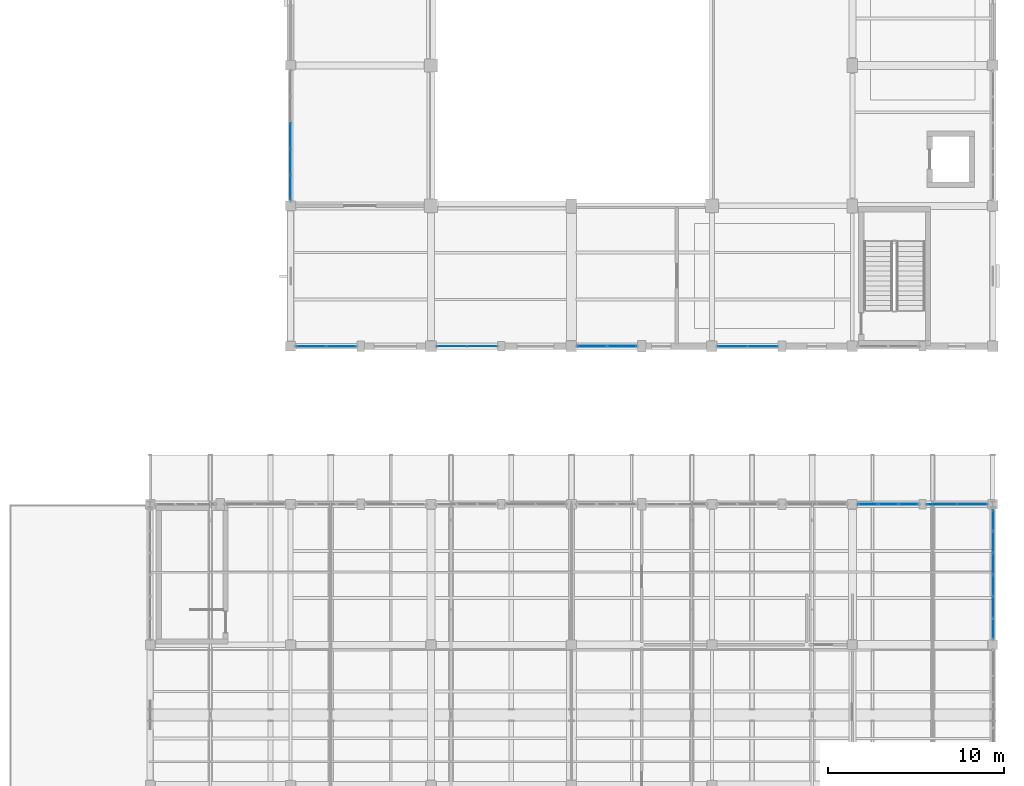
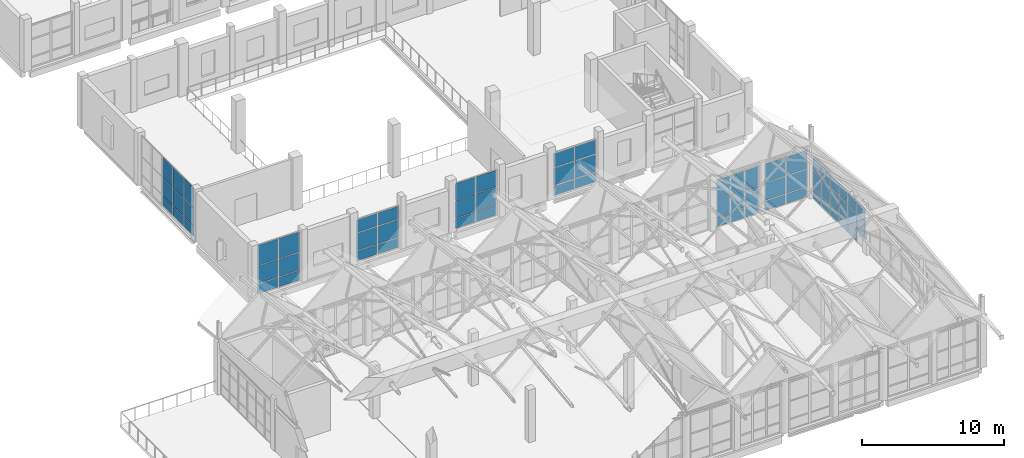
# One storey, part 128 of 183: 65 plates, 8 elements without a shape of their own.
"""IFC4 building model written with IfcOpenShell, lengths in metres."""

from ifc_helpers import new_model, si_unit, direction, frame, origin, origin_2d, place, context, subcontext, project, spatial, rectangle, extrude, material, layer, layer_set, type_object, element, aggregate, save


model = new_model("IFC4")

# Units and contexts
model_context = context("Model", 3, precision=1e-05, world=origin(), true_north=direction((0.0, 1.0)))
body_context = subcontext(model_context, "Body", "Model", "MODEL_VIEW")
ifc_project = project(units=[si_unit("LENGTHUNIT", "METRE"), si_unit("AREAUNIT", "SQUARE_METRE"), si_unit("VOLUMEUNIT", "CUBIC_METRE"), si_unit("PLANEANGLEUNIT", "RADIAN"), si_unit("MASSUNIT", "GRAM", prefix="KILO")], contexts=[model_context])

# Site, building, storey
site_placement = place(None, origin())
site = spatial("IfcSite", under=ifc_project, at=site_placement, CompositionType="ELEMENT")
building_placement = place(site_placement, origin())
building = spatial("IfcBuilding", under=site, at=building_placement, Name="Luwemba Playhouse", CompositionType="ELEMENT")
storey_placement = place(building_placement, frame((0.0, 0.0, 4.800048828125)))
storey = spatial("IfcBuildingStorey", under=building, at=storey_placement, Name="L01", CompositionType="ELEMENT", Elevation=4.800048828125)

# Curtain wall, plates
ifc_material = material(Name="Solar-control double glazing", Category="glass")
curtain_wall_type_1 = type_object("IfcCurtainWallType", Name="CW-CW77", PredefinedType="USERDEFINED", material=ifc_material)
curtain_wall_1_placement = place(storey_placement, origin())
curtain_wall_1 = element("IfcCurtainWall", 1, at=curtain_wall_1_placement, inside=storey, type_object=curtain_wall_type_1, Name="L01 V3 unitised curtain wall 110", ObjectType="UNITISED GLAZING", PredefinedType="USERDEFINED")
ifc_layer_1 = layer(ifc_material, 0.02392578125)
ifc_layer_set_1 = layer_set([ifc_layer_1], Name="Solar-control double glazing")
plate_type_1 = type_object("IfcPlateType", Name="CWP-P1", PredefinedType="CURTAIN_PANEL", material=ifc_layer_set_1)
plate_1_placement = place(storey_placement, frame((142.909912109375, 36.0, 0.059814453125), z_axis=(0.0, 0.0, 1.0), x_axis=(-1.0, 0.0, 0.0)))
plate_1 = element("IfcPlate", 2, at=plate_1_placement, type_object=plate_type_1, Name="CW77 panel 1.1", PredefinedType="CURTAIN_PANEL", context=body_context, shape_type="SweptSolid", body=[
    extrude(rectangle(XDim=1.659912109375, YDim=0.02392578125, at=origin_2d()), origin(), (0.0, 0.0, 1.0), 0.81005859375),
])
plate_2_placement = place(storey_placement, frame((142.909912109375, 36.0, 0.93017578125), z_axis=(0.0, 0.0, 1.0), x_axis=(-1.0, 0.0, 0.0)))
plate_2 = element("IfcPlate", 3, at=plate_2_placement, type_object=plate_type_1, Name="CW77 panel 1.2", PredefinedType="CURTAIN_PANEL", context=body_context, shape_type="SweptSolid", body=[
    extrude(rectangle(XDim=1.659912109375, YDim=0.02392578125, at=origin_2d()), origin(), (0.0, 0.0, 1.0), 1.489990234375),
])
plate_3_placement = place(storey_placement, frame((142.909912109375, 36.0, 2.47998046875), z_axis=(0.0, 0.0, 1.0), x_axis=(-1.0, 0.0, 0.0)))
plate_3 = element("IfcPlate", 4, at=plate_3_placement, type_object=plate_type_1, Name="CW77 panel 1.3", PredefinedType="CURTAIN_PANEL", context=body_context, shape_type="SweptSolid", body=[
    extrude(rectangle(XDim=1.659912109375, YDim=0.02392578125, at=origin_2d()), origin(), (0.0, 0.0, 1.0), 1.094970703125),
])
plate_4_placement = place(storey_placement, frame((141.18994140625, 36.0, 0.059814453125), z_axis=(0.0, 0.0, 1.0), x_axis=(-1.0, 0.0, 0.0)))
plate_4 = element("IfcPlate", 5, at=plate_4_placement, type_object=plate_type_1, Name="CW77 panel 2.1", PredefinedType="CURTAIN_PANEL", context=body_context, shape_type="SweptSolid", body=[
    extrude(rectangle(XDim=1.659912109375, YDim=0.02392578125, at=origin_2d()), origin(), (0.0, 0.0, 1.0), 0.81005859375),
])
plate_5_placement = place(storey_placement, frame((141.18994140625, 36.0, 0.93017578125), z_axis=(0.0, 0.0, 1.0), x_axis=(-1.0, 0.0, 0.0)))
plate_5 = element("IfcPlate", 6, at=plate_5_placement, type_object=plate_type_1, Name="CW77 panel 2.2", PredefinedType="CURTAIN_PANEL", context=body_context, shape_type="SweptSolid", body=[
    extrude(rectangle(XDim=1.659912109375, YDim=0.02392578125, at=origin_2d()), origin(), (0.0, 0.0, 1.0), 1.489990234375),
])
plate_6_placement = place(storey_placement, frame((141.18994140625, 36.0, 2.47998046875), z_axis=(0.0, 0.0, 1.0), x_axis=(-1.0, 0.0, 0.0)))
plate_6 = element("IfcPlate", 7, at=plate_6_placement, type_object=plate_type_1, Name="CW77 panel 2.3", PredefinedType="CURTAIN_PANEL", context=body_context, shape_type="SweptSolid", body=[
    extrude(rectangle(XDim=1.659912109375, YDim=0.02392578125, at=origin_2d()), origin(), (0.0, 0.0, 1.0), 1.094970703125),
])
aggregate(curtain_wall_1, [plate_1, plate_2, plate_3, plate_4, plate_5, plate_6])

curtain_wall_type_2 = type_object("IfcCurtainWallType", Name="CW-CW128", PredefinedType="USERDEFINED", material=ifc_material)
curtain_wall_2_placement = place(storey_placement, origin())
curtain_wall_2 = element("IfcCurtainWall", 8, at=curtain_wall_2_placement, inside=storey, type_object=curtain_wall_type_2, Name="L01 V5E unitised curtain wall 166", ObjectType="UNITISED GLAZING", PredefinedType="USERDEFINED")
plate_7_placement = place(storey_placement, frame((169.09619140625, 27.0, 0.059814453125), z_axis=(0.0, 0.0, 1.0), x_axis=(1.0, 0.0, 0.0)))
plate_7 = element("IfcPlate", 9, at=plate_7_placement, type_object=plate_type_1, Name="CW128 panel 1.1", PredefinedType="CURTAIN_PANEL", context=body_context, shape_type="SweptSolid", body=[
    extrude(rectangle(XDim=1.672607421875, YDim=0.02392578125, at=origin_2d()), origin(), (0.0, 0.0, 1.0), 0.81005859375),
])
plate_8_placement = place(storey_placement, frame((169.09619140625, 27.0, 0.93017578125), z_axis=(0.0, 0.0, 1.0), x_axis=(1.0, 0.0, 0.0)))
plate_8 = element("IfcPlate", 10, at=plate_8_placement, type_object=plate_type_1, Name="CW128 panel 1.2", PredefinedType="CURTAIN_PANEL", context=body_context, shape_type="SweptSolid", body=[
    extrude(rectangle(XDim=1.672607421875, YDim=0.02392578125, at=origin_2d()), origin(), (0.0, 0.0, 1.0), 1.489990234375),
])
plate_9_placement = place(storey_placement, frame((169.09619140625, 27.0, 2.47998046875), z_axis=(0.0, 0.0, 1.0), x_axis=(1.0, 0.0, 0.0)))
plate_9 = element("IfcPlate", 11, at=plate_9_placement, type_object=plate_type_1, Name="CW128 panel 1.3", PredefinedType="CURTAIN_PANEL", context=body_context, shape_type="SweptSolid", body=[
    extrude(rectangle(XDim=1.672607421875, YDim=0.02392578125, at=origin_2d()), origin(), (0.0, 0.0, 1.0), 1.5849609375),
])
plate_10_placement = place(storey_placement, frame((170.828857421875, 27.0, 0.059814453125), z_axis=(0.0, 0.0, 1.0), x_axis=(1.0, 0.0, 0.0)))
plate_10 = element("IfcPlate", 12, at=plate_10_placement, type_object=plate_type_1, Name="CW128 panel 2.1", PredefinedType="CURTAIN_PANEL", context=body_context, shape_type="SweptSolid", body=[
    extrude(rectangle(XDim=1.672607421875, YDim=0.02392578125, at=origin_2d()), origin(), (0.0, 0.0, 1.0), 0.81005859375),
])
plate_11_placement = place(storey_placement, frame((170.828857421875, 27.0, 0.93017578125), z_axis=(0.0, 0.0, 1.0), x_axis=(1.0, 0.0, 0.0)))
plate_11 = element("IfcPlate", 13, at=plate_11_placement, type_object=plate_type_1, Name="CW128 panel 2.2", PredefinedType="CURTAIN_PANEL", context=body_context, shape_type="SweptSolid", body=[
    extrude(rectangle(XDim=1.672607421875, YDim=0.02392578125, at=origin_2d()), origin(), (0.0, 0.0, 1.0), 1.489990234375),
])
plate_12_placement = place(storey_placement, frame((170.828857421875, 27.0, 2.47998046875), z_axis=(0.0, 0.0, 1.0), x_axis=(1.0, 0.0, 0.0)))
plate_12 = element("IfcPlate", 14, at=plate_12_placement, type_object=plate_type_1, Name="CW128 panel 2.3", PredefinedType="CURTAIN_PANEL", context=body_context, shape_type="SweptSolid", body=[
    extrude(rectangle(XDim=1.672607421875, YDim=0.02392578125, at=origin_2d()), origin(), (0.0, 0.0, 1.0), 1.5849609375),
])
aggregate(curtain_wall_2, [plate_7, plate_8, plate_9, plate_10, plate_11, plate_12])

curtain_wall_type_3 = type_object("IfcCurtainWallType", Name="CW-CW75", PredefinedType="USERDEFINED", material=ifc_material)
curtain_wall_3_placement = place(storey_placement, origin())
curtain_wall_3 = element("IfcCurtainWall", 15, at=curtain_wall_3_placement, inside=storey, type_object=curtain_wall_type_3, Name="L01 V3 unitised curtain wall 111", ObjectType="UNITISED GLAZING", PredefinedType="USERDEFINED")
ifc_layer_2 = layer(ifc_material, 0.028076171875)
ifc_layer_set_2 = layer_set([ifc_layer_2], Name="Solar-control double glazing")
plate_type_2 = type_object("IfcPlateType", Name="CWP-P2", PredefinedType="CURTAIN_PANEL", material=ifc_layer_set_2)
plate_13_placement = place(storey_placement, frame((134.8837890625, 36.0, 0.054931640625), z_axis=(0.0, 0.0, 1.0), x_axis=(-1.0, 0.0, 0.0)))
plate_13 = element("IfcPlate", 16, at=plate_13_placement, type_object=plate_type_2, Name="CW75 panel 1.1", PredefinedType="CURTAIN_PANEL", context=body_context, shape_type="SweptSolid", body=[
    extrude(rectangle(XDim=1.652587890625, YDim=0.028076171875, at=origin_2d()), origin(), (0.0, 0.0, 1.0), 0.8173828125),
])
plate_14_placement = place(storey_placement, frame((134.8837890625, 36.0, 0.927490234375), z_axis=(0.0, 0.0, 1.0), x_axis=(-1.0, 0.0, 0.0)))
plate_14 = element("IfcPlate", 17, at=plate_14_placement, type_object=plate_type_2, Name="CW75 panel 1.2", PredefinedType="CURTAIN_PANEL", context=body_context, shape_type="SweptSolid", body=[
    extrude(rectangle(XDim=1.652587890625, YDim=0.028076171875, at=origin_2d()), origin(), (0.0, 0.0, 1.0), 1.4951171875),
])
plate_15_placement = place(storey_placement, frame((134.8837890625, 36.0, 2.4775390625), z_axis=(0.0, 0.0, 1.0), x_axis=(-1.0, 0.0, 0.0)))
plate_15 = element("IfcPlate", 18, at=plate_15_placement, type_object=plate_type_2, Name="CW75 panel 1.3", PredefinedType="CURTAIN_PANEL", context=body_context, shape_type="SweptSolid", body=[
    extrude(rectangle(XDim=1.652587890625, YDim=0.028076171875, at=origin_2d()), origin(), (0.0, 0.0, 1.0), 1.717529296875),
])
plate_16_placement = place(storey_placement, frame((133.166259765625, 36.0, 0.054931640625), z_axis=(0.0, 0.0, 1.0), x_axis=(-1.0, 0.0, 0.0)))
plate_16 = element("IfcPlate", 19, at=plate_16_placement, type_object=plate_type_2, Name="CW75 panel 2.1", PredefinedType="CURTAIN_PANEL", context=body_context, shape_type="SweptSolid", body=[
    extrude(rectangle(XDim=1.652587890625, YDim=0.028076171875, at=origin_2d()), origin(), (0.0, 0.0, 1.0), 0.8173828125),
])
plate_17_placement = place(storey_placement, frame((133.166259765625, 36.0, 0.927490234375), z_axis=(0.0, 0.0, 1.0), x_axis=(-1.0, 0.0, 0.0)))
plate_17 = element("IfcPlate", 20, at=plate_17_placement, type_object=plate_type_2, Name="CW75 panel 2.2", PredefinedType="CURTAIN_PANEL", context=body_context, shape_type="SweptSolid", body=[
    extrude(rectangle(XDim=1.652587890625, YDim=0.028076171875, at=origin_2d()), origin(), (0.0, 0.0, 1.0), 1.4951171875),
])
plate_18_placement = place(storey_placement, frame((133.166259765625, 36.0, 2.4775390625), z_axis=(0.0, 0.0, 1.0), x_axis=(-1.0, 0.0, 0.0)))
plate_18 = element("IfcPlate", 21, at=plate_18_placement, type_object=plate_type_2, Name="CW75 panel 2.3", PredefinedType="CURTAIN_PANEL", context=body_context, shape_type="SweptSolid", body=[
    extrude(rectangle(XDim=1.652587890625, YDim=0.028076171875, at=origin_2d()), origin(), (0.0, 0.0, 1.0), 1.717529296875),
])
aggregate(curtain_wall_3, [plate_13, plate_14, plate_15, plate_16, plate_17, plate_18])

curtain_wall_type_4 = type_object("IfcCurtainWallType", Name="CW-CW129", PredefinedType="USERDEFINED", material=ifc_material)
curtain_wall_4_placement = place(storey_placement, origin())
curtain_wall_4 = element("IfcCurtainWall", 22, at=curtain_wall_4_placement, inside=storey, type_object=curtain_wall_type_4, Name="L01 V5E unitised curtain wall 167", ObjectType="UNITISED GLAZING", PredefinedType="USERDEFINED")
plate_19_placement = place(storey_placement, frame((172.0, 26.087890625, 0.054931640625), z_axis=(0.0, 0.0, 1.0), x_axis=(0.0, -1.0, 0.0)))
plate_19 = element("IfcPlate", 23, at=plate_19_placement, type_object=plate_type_2, Name="CW129 panel 1.1", PredefinedType="CURTAIN_PANEL", context=body_context, shape_type="SweptSolid", body=[
    extrude(rectangle(XDim=1.144287109375, YDim=0.028076171875, at=origin_2d()), origin(), (0.0, 0.0, 1.0), 0.8173828125),
])
plate_20_placement = place(storey_placement, frame((172.0, 26.087890625, 0.927490234375), z_axis=(0.0, 0.0, 1.0), x_axis=(0.0, -1.0, 0.0)))
plate_20 = element("IfcPlate", 24, at=plate_20_placement, type_object=plate_type_2, Name="CW129 panel 1.2", PredefinedType="CURTAIN_PANEL", context=body_context, shape_type="SweptSolid", body=[
    extrude(rectangle(XDim=1.144287109375, YDim=0.028076171875, at=origin_2d()), origin(), (0.0, 0.0, 1.0), 1.4951171875),
])
plate_21_placement = place(storey_placement, frame((172.0, 26.087890625, 2.4775390625), z_axis=(0.0, 0.0, 1.0), x_axis=(0.0, -1.0, 0.0)))
plate_21 = element("IfcPlate", 25, at=plate_21_placement, type_object=plate_type_2, Name="CW129 panel 1.3", PredefinedType="CURTAIN_PANEL", context=body_context, shape_type="SweptSolid", body=[
    extrude(rectangle(XDim=1.144287109375, YDim=0.028076171875, at=origin_2d()), origin(), (0.0, 0.0, 1.0), 1.052490234375),
])
plate_22_placement = place(storey_placement, frame((172.0, 24.862548828125, 0.054931640625), z_axis=(0.0, 0.0, 1.0), x_axis=(0.0, -1.0, 0.0)))
plate_22 = element("IfcPlate", 26, at=plate_22_placement, type_object=plate_type_2, Name="CW129 panel 2.1", PredefinedType="CURTAIN_PANEL", context=body_context, shape_type="SweptSolid", body=[
    extrude(rectangle(XDim=1.1767578125, YDim=0.028076171875, at=origin_2d()), origin(), (0.0, 0.0, 1.0), 0.8173828125),
])
plate_23_placement = place(storey_placement, frame((172.0, 24.862548828125, 0.927490234375), z_axis=(0.0, 0.0, 1.0), x_axis=(0.0, -1.0, 0.0)))
plate_23 = element("IfcPlate", 27, at=plate_23_placement, type_object=plate_type_2, Name="CW129 panel 2.2", PredefinedType="CURTAIN_PANEL", context=body_context, shape_type="SweptSolid", body=[
    extrude(rectangle(XDim=1.1767578125, YDim=0.028076171875, at=origin_2d()), origin(), (0.0, 0.0, 1.0), 1.4951171875),
])
plate_24_placement = place(storey_placement, frame((172.0, 24.862548828125, 2.4775390625), z_axis=(0.0, 0.0, 1.0), x_axis=(0.0, -1.0, 0.0)))
plate_24 = element("IfcPlate", 28, at=plate_24_placement, type_object=plate_type_2, Name="CW129 panel 2.3", PredefinedType="CURTAIN_PANEL", context=body_context, shape_type="SweptSolid", body=[
    extrude(rectangle(XDim=1.1767578125, YDim=0.028076171875, at=origin_2d()), origin(), (0.0, 0.0, 1.0), 1.052490234375),
])
plate_25_placement = place(storey_placement, frame((172.0, 23.620849609375, 0.054931640625), z_axis=(0.0, 0.0, 1.0), x_axis=(0.0, -1.0, 0.0)))
plate_25 = element("IfcPlate", 29, at=plate_25_placement, type_object=plate_type_2, Name="CW129 panel 3.1", PredefinedType="CURTAIN_PANEL", context=body_context, shape_type="SweptSolid", body=[
    extrude(rectangle(XDim=1.1767578125, YDim=0.028076171875, at=origin_2d()), origin(), (0.0, 0.0, 1.0), 0.8173828125),
])
plate_26_placement = place(storey_placement, frame((172.0, 23.620849609375, 0.927490234375), z_axis=(0.0, 0.0, 1.0), x_axis=(0.0, -1.0, 0.0)))
plate_26 = element("IfcPlate", 30, at=plate_26_placement, type_object=plate_type_2, Name="CW129 panel 3.2", PredefinedType="CURTAIN_PANEL", context=body_context, shape_type="SweptSolid", body=[
    extrude(rectangle(XDim=1.1767578125, YDim=0.028076171875, at=origin_2d()), origin(), (0.0, 0.0, 1.0), 1.4951171875),
])
plate_27_placement = place(storey_placement, frame((172.0, 23.620849609375, 2.4775390625), z_axis=(0.0, 0.0, 1.0), x_axis=(0.0, -1.0, 0.0)))
plate_27 = element("IfcPlate", 31, at=plate_27_placement, type_object=plate_type_2, Name="CW129 panel 3.3", PredefinedType="CURTAIN_PANEL", context=body_context, shape_type="SweptSolid", body=[
    extrude(rectangle(XDim=1.1767578125, YDim=0.028076171875, at=origin_2d()), origin(), (0.0, 0.0, 1.0), 1.052490234375),
])
plate_28_placement = place(storey_placement, frame((172.0, 22.379150390625, 0.054931640625), z_axis=(0.0, 0.0, 1.0), x_axis=(0.0, -1.0, 0.0)))
plate_28 = element("IfcPlate", 32, at=plate_28_placement, type_object=plate_type_2, Name="CW129 panel 4.1", PredefinedType="CURTAIN_PANEL", context=body_context, shape_type="SweptSolid", body=[
    extrude(rectangle(XDim=1.1767578125, YDim=0.028076171875, at=origin_2d()), origin(), (0.0, 0.0, 1.0), 0.8173828125),
])
plate_29_placement = place(storey_placement, frame((172.0, 22.379150390625, 0.927490234375), z_axis=(0.0, 0.0, 1.0), x_axis=(0.0, -1.0, 0.0)))
plate_29 = element("IfcPlate", 33, at=plate_29_placement, type_object=plate_type_2, Name="CW129 panel 4.2", PredefinedType="CURTAIN_PANEL", context=body_context, shape_type="SweptSolid", body=[
    extrude(rectangle(XDim=1.1767578125, YDim=0.028076171875, at=origin_2d()), origin(), (0.0, 0.0, 1.0), 1.4951171875),
])
plate_30_placement = place(storey_placement, frame((172.0, 22.379150390625, 2.4775390625), z_axis=(0.0, 0.0, 1.0), x_axis=(0.0, -1.0, 0.0)))
plate_30 = element("IfcPlate", 34, at=plate_30_placement, type_object=plate_type_2, Name="CW129 panel 4.3", PredefinedType="CURTAIN_PANEL", context=body_context, shape_type="SweptSolid", body=[
    extrude(rectangle(XDim=1.1767578125, YDim=0.028076171875, at=origin_2d()), origin(), (0.0, 0.0, 1.0), 1.052490234375),
])
plate_31_placement = place(storey_placement, frame((172.0, 21.137451171875, 0.054931640625), z_axis=(0.0, 0.0, 1.0), x_axis=(0.0, -1.0, 0.0)))
plate_31 = element("IfcPlate", 35, at=plate_31_placement, type_object=plate_type_2, Name="CW129 panel 5.1", PredefinedType="CURTAIN_PANEL", context=body_context, shape_type="SweptSolid", body=[
    extrude(rectangle(XDim=1.1767578125, YDim=0.028076171875, at=origin_2d()), origin(), (0.0, 0.0, 1.0), 0.8173828125),
])
plate_32_placement = place(storey_placement, frame((172.0, 21.137451171875, 0.927490234375), z_axis=(0.0, 0.0, 1.0), x_axis=(0.0, -1.0, 0.0)))
plate_32 = element("IfcPlate", 36, at=plate_32_placement, type_object=plate_type_2, Name="CW129 panel 5.2", PredefinedType="CURTAIN_PANEL", context=body_context, shape_type="SweptSolid", body=[
    extrude(rectangle(XDim=1.1767578125, YDim=0.028076171875, at=origin_2d()), origin(), (0.0, 0.0, 1.0), 1.4951171875),
])
plate_33_placement = place(storey_placement, frame((172.0, 21.137451171875, 2.4775390625), z_axis=(0.0, 0.0, 1.0), x_axis=(0.0, -1.0, 0.0)))
plate_33 = element("IfcPlate", 37, at=plate_33_placement, type_object=plate_type_2, Name="CW129 panel 5.3", PredefinedType="CURTAIN_PANEL", context=body_context, shape_type="SweptSolid", body=[
    extrude(rectangle(XDim=1.1767578125, YDim=0.028076171875, at=origin_2d()), origin(), (0.0, 0.0, 1.0), 1.052490234375),
])
plate_34_placement = place(storey_placement, frame((172.0, 19.912109375, 0.927490234375), z_axis=(0.0, 0.0, 1.0), x_axis=(0.0, -1.0, 0.0)))
plate_34 = element("IfcPlate", 38, at=plate_34_placement, type_object=plate_type_2, Name="CW129 panel 6.2", PredefinedType="CURTAIN_PANEL", context=body_context, shape_type="SweptSolid", body=[
    extrude(rectangle(XDim=1.144287109375, YDim=0.028076171875, at=origin_2d()), origin(), (0.0, 0.0, 1.0), 1.4951171875),
])
plate_35_placement = place(storey_placement, frame((172.0, 19.912109375, 2.4775390625), z_axis=(0.0, 0.0, 1.0), x_axis=(0.0, -1.0, 0.0)))
plate_35 = element("IfcPlate", 39, at=plate_35_placement, type_object=plate_type_2, Name="CW129 panel 6.3", PredefinedType="CURTAIN_PANEL", context=body_context, shape_type="SweptSolid", body=[
    extrude(rectangle(XDim=1.144287109375, YDim=0.028076171875, at=origin_2d()), origin(), (0.0, 0.0, 1.0), 1.052490234375),
])
aggregate(curtain_wall_4, [plate_19, plate_20, plate_21, plate_22, plate_23, plate_24, plate_25, plate_26, plate_27, plate_28, plate_29, plate_30, plate_31, plate_32, plate_33, plate_34, plate_35])

curtain_wall_type_5 = type_object("IfcCurtainWallType", Name="CW-CW76", PredefinedType="USERDEFINED", material=ifc_material)
curtain_wall_5_placement = place(storey_placement, origin())
curtain_wall_5 = element("IfcCurtainWall", 40, at=curtain_wall_5_placement, inside=storey, type_object=curtain_wall_type_5, Name="L01 V3 unitised curtain wall 108", ObjectType="UNITISED GLAZING", PredefinedType="USERDEFINED")
ifc_layer_3 = layer(ifc_material, 0.031982421875)
ifc_layer_set_3 = layer_set([ifc_layer_3], Name="Solar-control double glazing")
plate_type_3 = type_object("IfcPlateType", Name="CWP-P3", PredefinedType="CURTAIN_PANEL", material=ifc_layer_set_3)
plate_36_placement = place(storey_placement, frame((158.892578125, 36.0, 0.06494140625), z_axis=(0.0, 0.0, 1.0), x_axis=(-1.0, 0.0, 0.0)))
plate_36 = element("IfcPlate", 41, at=plate_36_placement, type_object=plate_type_3, Name="CW76 panel 1.1", PredefinedType="CURTAIN_PANEL", context=body_context, shape_type="SweptSolid", body=[
    extrude(rectangle(XDim=1.655029296875, YDim=0.031982421875, at=origin_2d()), origin(), (0.0, 0.0, 1.0), 0.802490234375),
])
plate_37_placement = place(storey_placement, frame((158.892578125, 36.0, 0.9326171875), z_axis=(0.0, 0.0, 1.0), x_axis=(-1.0, 0.0, 0.0)))
plate_37 = element("IfcPlate", 42, at=plate_37_placement, type_object=plate_type_3, Name="CW76 panel 1.2", PredefinedType="CURTAIN_PANEL", context=body_context, shape_type="SweptSolid", body=[
    extrude(rectangle(XDim=1.655029296875, YDim=0.031982421875, at=origin_2d()), origin(), (0.0, 0.0, 1.0), 1.485107421875),
])
plate_38_placement = place(storey_placement, frame((158.892578125, 36.0, 2.482421875), z_axis=(0.0, 0.0, 1.0), x_axis=(-1.0, 0.0, 0.0)))
plate_38 = element("IfcPlate", 43, at=plate_38_placement, type_object=plate_type_3, Name="CW76 panel 1.3", PredefinedType="CURTAIN_PANEL", context=body_context, shape_type="SweptSolid", body=[
    extrude(rectangle(XDim=1.655029296875, YDim=0.031982421875, at=origin_2d()), origin(), (0.0, 0.0, 1.0), 1.1875),
])
plate_39_placement = place(storey_placement, frame((157.1826171875, 36.0, 0.06494140625), z_axis=(0.0, 0.0, 1.0), x_axis=(-1.0, 0.0, 0.0)))
plate_39 = element("IfcPlate", 44, at=plate_39_placement, type_object=plate_type_3, Name="CW76 panel 2.1", PredefinedType="CURTAIN_PANEL", context=body_context, shape_type="SweptSolid", body=[
    extrude(rectangle(XDim=1.655029296875, YDim=0.031982421875, at=origin_2d()), origin(), (0.0, 0.0, 1.0), 0.802490234375),
])
plate_40_placement = place(storey_placement, frame((157.1826171875, 36.0, 0.9326171875), z_axis=(0.0, 0.0, 1.0), x_axis=(-1.0, 0.0, 0.0)))
plate_40 = element("IfcPlate", 45, at=plate_40_placement, type_object=plate_type_3, Name="CW76 panel 2.2", PredefinedType="CURTAIN_PANEL", context=body_context, shape_type="SweptSolid", body=[
    extrude(rectangle(XDim=1.655029296875, YDim=0.031982421875, at=origin_2d()), origin(), (0.0, 0.0, 1.0), 1.485107421875),
])
plate_41_placement = place(storey_placement, frame((157.1826171875, 36.0, 2.482421875), z_axis=(0.0, 0.0, 1.0), x_axis=(-1.0, 0.0, 0.0)))
plate_41 = element("IfcPlate", 46, at=plate_41_placement, type_object=plate_type_3, Name="CW76 panel 2.3", PredefinedType="CURTAIN_PANEL", context=body_context, shape_type="SweptSolid", body=[
    extrude(rectangle(XDim=1.655029296875, YDim=0.031982421875, at=origin_2d()), origin(), (0.0, 0.0, 1.0), 1.1875),
])
aggregate(curtain_wall_5, [plate_36, plate_37, plate_38, plate_39, plate_40, plate_41])

curtain_wall_type_6 = type_object("IfcCurtainWallType", Name="CW-CW73", PredefinedType="USERDEFINED", material=ifc_material)
curtain_wall_6_placement = place(storey_placement, origin())
curtain_wall_6 = element("IfcCurtainWall", 47, at=curtain_wall_6_placement, inside=storey, type_object=curtain_wall_type_6, Name="L01 V3 unitised curtain wall 105", ObjectType="UNITISED GLAZING", PredefinedType="USERDEFINED")
ifc_layer_4 = layer(ifc_material, 0.035888671875)
ifc_layer_set_4 = layer_set([ifc_layer_4], Name="Solar-control double glazing")
plate_type_4 = type_object("IfcPlateType", Name="CWP-P4", PredefinedType="CURTAIN_PANEL", material=ifc_layer_set_4)
plate_42_placement = place(storey_placement, frame((132.0, 45.03759765625, 0.0498046875), z_axis=(0.0, 0.0, 1.0), x_axis=(0.0, 1.0, 0.0)))
plate_42 = element("IfcPlate", 48, at=plate_42_placement, type_object=plate_type_4, Name="CW73 panel 1.1", PredefinedType="CURTAIN_PANEL", context=body_context, shape_type="SweptSolid", body=[
    extrude(rectangle(XDim=1.385009765625, YDim=0.035888671875, at=origin_2d()), origin(), (0.0, 0.0, 1.0), 0.824951171875),
])
plate_43_placement = place(storey_placement, frame((132.0, 45.03759765625, 0.925048828125), z_axis=(0.0, 0.0, 1.0), x_axis=(0.0, 1.0, 0.0)))
plate_43 = element("IfcPlate", 49, at=plate_43_placement, type_object=plate_type_4, Name="CW73 panel 1.2", PredefinedType="CURTAIN_PANEL", context=body_context, shape_type="SweptSolid", body=[
    extrude(rectangle(XDim=1.385009765625, YDim=0.035888671875, at=origin_2d()), origin(), (0.0, 0.0, 1.0), 1.5),
])
plate_44_placement = place(storey_placement, frame((132.0, 45.03759765625, 2.474853515625), z_axis=(0.0, 0.0, 1.0), x_axis=(0.0, 1.0, 0.0)))
plate_44 = element("IfcPlate", 50, at=plate_44_placement, type_object=plate_type_4, Name="CW73 panel 1.3", PredefinedType="CURTAIN_PANEL", context=body_context, shape_type="SweptSolid", body=[
    extrude(rectangle(XDim=1.385009765625, YDim=0.035888671875, at=origin_2d()), origin(), (0.0, 0.0, 1.0), 1.72509765625),
])
plate_45_placement = place(storey_placement, frame((132.0, 46.510009765625, 0.0498046875), z_axis=(0.0, 0.0, 1.0), x_axis=(0.0, 1.0, 0.0)))
plate_45 = element("IfcPlate", 51, at=plate_45_placement, type_object=plate_type_4, Name="CW73 panel 2.1", PredefinedType="CURTAIN_PANEL", context=body_context, shape_type="SweptSolid", body=[
    extrude(rectangle(XDim=1.419921875, YDim=0.035888671875, at=origin_2d()), origin(), (0.0, 0.0, 1.0), 0.824951171875),
])
plate_46_placement = place(storey_placement, frame((132.0, 46.510009765625, 0.925048828125), z_axis=(0.0, 0.0, 1.0), x_axis=(0.0, 1.0, 0.0)))
plate_46 = element("IfcPlate", 52, at=plate_46_placement, type_object=plate_type_4, Name="CW73 panel 2.2", PredefinedType="CURTAIN_PANEL", context=body_context, shape_type="SweptSolid", body=[
    extrude(rectangle(XDim=1.419921875, YDim=0.035888671875, at=origin_2d()), origin(), (0.0, 0.0, 1.0), 1.5),
])
plate_47_placement = place(storey_placement, frame((132.0, 46.510009765625, 2.474853515625), z_axis=(0.0, 0.0, 1.0), x_axis=(0.0, 1.0, 0.0)))
plate_47 = element("IfcPlate", 53, at=plate_47_placement, type_object=plate_type_4, Name="CW73 panel 2.3", PredefinedType="CURTAIN_PANEL", context=body_context, shape_type="SweptSolid", body=[
    extrude(rectangle(XDim=1.419921875, YDim=0.035888671875, at=origin_2d()), origin(), (0.0, 0.0, 1.0), 1.72509765625),
])
plate_48_placement = place(storey_placement, frame((132.0, 48.0, 0.0498046875), z_axis=(0.0, 0.0, 1.0), x_axis=(0.0, 1.0, 0.0)))
plate_48 = element("IfcPlate", 54, at=plate_48_placement, type_object=plate_type_4, Name="CW73 panel 3.1", PredefinedType="CURTAIN_PANEL", context=body_context, shape_type="SweptSolid", body=[
    extrude(rectangle(XDim=1.419921875, YDim=0.035888671875, at=origin_2d()), origin(), (0.0, 0.0, 1.0), 0.824951171875),
])
plate_49_placement = place(storey_placement, frame((132.0, 48.0, 0.925048828125), z_axis=(0.0, 0.0, 1.0), x_axis=(0.0, 1.0, 0.0)))
plate_49 = element("IfcPlate", 55, at=plate_49_placement, type_object=plate_type_4, Name="CW73 panel 3.2", PredefinedType="CURTAIN_PANEL", context=body_context, shape_type="SweptSolid", body=[
    extrude(rectangle(XDim=1.419921875, YDim=0.035888671875, at=origin_2d()), origin(), (0.0, 0.0, 1.0), 1.5),
])
plate_50_placement = place(storey_placement, frame((132.0, 48.0, 2.474853515625), z_axis=(0.0, 0.0, 1.0), x_axis=(0.0, 1.0, 0.0)))
plate_50 = element("IfcPlate", 56, at=plate_50_placement, type_object=plate_type_4, Name="CW73 panel 3.3", PredefinedType="CURTAIN_PANEL", context=body_context, shape_type="SweptSolid", body=[
    extrude(rectangle(XDim=1.419921875, YDim=0.035888671875, at=origin_2d()), origin(), (0.0, 0.0, 1.0), 1.72509765625),
])
aggregate(curtain_wall_6, [plate_42, plate_43, plate_44, plate_45, plate_46, plate_47, plate_48, plate_49, plate_50])

curtain_wall_type_7 = type_object("IfcCurtainWallType", Name="CW-CW63", PredefinedType="USERDEFINED", material=ifc_material)
curtain_wall_7_placement = place(storey_placement, origin())
curtain_wall_7 = element("IfcCurtainWall", 57, at=curtain_wall_7_placement, inside=storey, type_object=curtain_wall_type_7, Name="L01 V3 unitised curtain wall 109", ObjectType="UNITISED GLAZING", PredefinedType="USERDEFINED")
plate_51_placement = place(storey_placement, frame((150.8701171875, 36.0, 0.0498046875), z_axis=(0.0, 0.0, 1.0), x_axis=(-1.0, 0.0, 0.0)))
plate_51 = element("IfcPlate", 58, at=plate_51_placement, type_object=plate_type_4, Name="CW63 panel 1.1", PredefinedType="CURTAIN_PANEL", context=body_context, shape_type="SweptSolid", body=[
    extrude(rectangle(XDim=1.6201171875, YDim=0.035888671875, at=origin_2d()), origin(), (0.0, 0.0, 1.0), 0.824951171875),
])
plate_52_placement = place(storey_placement, frame((150.8701171875, 36.0, 0.925048828125), z_axis=(0.0, 0.0, 1.0), x_axis=(-1.0, 0.0, 0.0)))
plate_52 = element("IfcPlate", 59, at=plate_52_placement, type_object=plate_type_4, Name="CW63 panel 1.2", PredefinedType="CURTAIN_PANEL", context=body_context, shape_type="SweptSolid", body=[
    extrude(rectangle(XDim=1.6201171875, YDim=0.035888671875, at=origin_2d()), origin(), (0.0, 0.0, 1.0), 1.5),
])
plate_53_placement = place(storey_placement, frame((150.8701171875, 36.0, 2.47509765625), z_axis=(0.0, 0.0, 1.0), x_axis=(-1.0, 0.0, 0.0)))
plate_53 = element("IfcPlate", 60, at=plate_53_placement, type_object=plate_type_4, Name="CW63 panel 1.3", PredefinedType="CURTAIN_PANEL", context=body_context, shape_type="SweptSolid", body=[
    extrude(rectangle(XDim=1.6201171875, YDim=0.035888671875, at=origin_2d()), origin(), (0.0, 0.0, 1.0), 1.409912109375),
])
plate_54_placement = place(storey_placement, frame((149.179931640625, 36.0, 0.0498046875), z_axis=(0.0, 0.0, 1.0), x_axis=(-1.0, 0.0, 0.0)))
plate_54 = element("IfcPlate", 61, at=plate_54_placement, type_object=plate_type_4, Name="CW63 panel 2.1", PredefinedType="CURTAIN_PANEL", context=body_context, shape_type="SweptSolid", body=[
    extrude(rectangle(XDim=1.6201171875, YDim=0.035888671875, at=origin_2d()), origin(), (0.0, 0.0, 1.0), 0.824951171875),
])
plate_55_placement = place(storey_placement, frame((149.179931640625, 36.0, 0.925048828125), z_axis=(0.0, 0.0, 1.0), x_axis=(-1.0, 0.0, 0.0)))
plate_55 = element("IfcPlate", 62, at=plate_55_placement, type_object=plate_type_4, Name="CW63 panel 2.2", PredefinedType="CURTAIN_PANEL", context=body_context, shape_type="SweptSolid", body=[
    extrude(rectangle(XDim=1.6201171875, YDim=0.035888671875, at=origin_2d()), origin(), (0.0, 0.0, 1.0), 1.5),
])
plate_56_placement = place(storey_placement, frame((149.179931640625, 36.0, 2.47509765625), z_axis=(0.0, 0.0, 1.0), x_axis=(-1.0, 0.0, 0.0)))
plate_56 = element("IfcPlate", 63, at=plate_56_placement, type_object=plate_type_4, Name="CW63 panel 2.3", PredefinedType="CURTAIN_PANEL", context=body_context, shape_type="SweptSolid", body=[
    extrude(rectangle(XDim=1.6201171875, YDim=0.035888671875, at=origin_2d()), origin(), (0.0, 0.0, 1.0), 1.409912109375),
])
aggregate(curtain_wall_7, [plate_51, plate_52, plate_53, plate_54, plate_55, plate_56])

curtain_wall_type_8 = type_object("IfcCurtainWallType", Name="CW-CW127", PredefinedType="USERDEFINED", material=ifc_material)
curtain_wall_8_placement = place(storey_placement, origin())
curtain_wall_8 = element("IfcCurtainWall", 64, at=curtain_wall_8_placement, inside=storey, type_object=curtain_wall_type_8, Name="L01 V5E unitised curtain wall 165", ObjectType="UNITISED GLAZING", PredefinedType="USERDEFINED")
plate_57_placement = place(storey_placement, frame((164.8798828125, 27.0, 0.0498046875), z_axis=(0.0, 0.0, 1.0), x_axis=(1.0, 0.0, 0.0)))
plate_57 = element("IfcPlate", 65, at=plate_57_placement, type_object=plate_type_4, Name="CW127 panel 1.1", PredefinedType="CURTAIN_PANEL", context=body_context, shape_type="SweptSolid", body=[
    extrude(rectangle(XDim=1.070068359375, YDim=0.035888671875, at=origin_2d()), origin(), (0.0, 0.0, 1.0), 0.824951171875),
])
plate_58_placement = place(storey_placement, frame((164.8798828125, 27.0, 0.925048828125), z_axis=(0.0, 0.0, 1.0), x_axis=(1.0, 0.0, 0.0)))
plate_58 = element("IfcPlate", 66, at=plate_58_placement, type_object=plate_type_4, Name="CW127 panel 1.2", PredefinedType="CURTAIN_PANEL", context=body_context, shape_type="SweptSolid", body=[
    extrude(rectangle(XDim=1.070068359375, YDim=0.035888671875, at=origin_2d()), origin(), (0.0, 0.0, 1.0), 1.5),
])
plate_59_placement = place(storey_placement, frame((164.8798828125, 27.0, 2.474853515625), z_axis=(0.0, 0.0, 1.0), x_axis=(1.0, 0.0, 0.0)))
plate_59 = element("IfcPlate", 67, at=plate_59_placement, type_object=plate_type_4, Name="CW127 panel 1.3", PredefinedType="CURTAIN_PANEL", context=body_context, shape_type="SweptSolid", body=[
    extrude(rectangle(XDim=1.070068359375, YDim=0.035888671875, at=origin_2d()), origin(), (0.0, 0.0, 1.0), 1.60009765625),
])
plate_60_placement = place(storey_placement, frame((166.03759765625, 27.0, 0.0498046875), z_axis=(0.0, 0.0, 1.0), x_axis=(1.0, 0.0, 0.0)))
plate_60 = element("IfcPlate", 68, at=plate_60_placement, type_object=plate_type_4, Name="CW127 panel 2.1", PredefinedType="CURTAIN_PANEL", context=body_context, shape_type="SweptSolid", body=[
    extrude(rectangle(XDim=1.10498046875, YDim=0.035888671875, at=origin_2d()), origin(), (0.0, 0.0, 1.0), 0.824951171875),
])
plate_61_placement = place(storey_placement, frame((166.03759765625, 27.0, 0.925048828125), z_axis=(0.0, 0.0, 1.0), x_axis=(1.0, 0.0, 0.0)))
plate_61 = element("IfcPlate", 69, at=plate_61_placement, type_object=plate_type_4, Name="CW127 panel 2.2", PredefinedType="CURTAIN_PANEL", context=body_context, shape_type="SweptSolid", body=[
    extrude(rectangle(XDim=1.10498046875, YDim=0.035888671875, at=origin_2d()), origin(), (0.0, 0.0, 1.0), 1.5),
])
plate_62_placement = place(storey_placement, frame((166.03759765625, 27.0, 2.474853515625), z_axis=(0.0, 0.0, 1.0), x_axis=(1.0, 0.0, 0.0)))
plate_62 = element("IfcPlate", 70, at=plate_62_placement, type_object=plate_type_4, Name="CW127 panel 2.3", PredefinedType="CURTAIN_PANEL", context=body_context, shape_type="SweptSolid", body=[
    extrude(rectangle(XDim=1.10498046875, YDim=0.035888671875, at=origin_2d()), origin(), (0.0, 0.0, 1.0), 1.60009765625),
])
plate_63_placement = place(storey_placement, frame((167.195068359375, 27.0, 0.0498046875), z_axis=(0.0, 0.0, 1.0), x_axis=(1.0, 0.0, 0.0)))
plate_63 = element("IfcPlate", 71, at=plate_63_placement, type_object=plate_type_4, Name="CW127 panel 3.1", PredefinedType="CURTAIN_PANEL", context=body_context, shape_type="SweptSolid", body=[
    extrude(rectangle(XDim=1.070068359375, YDim=0.035888671875, at=origin_2d()), origin(), (0.0, 0.0, 1.0), 0.824951171875),
])
plate_64_placement = place(storey_placement, frame((167.195068359375, 27.0, 0.925048828125), z_axis=(0.0, 0.0, 1.0), x_axis=(1.0, 0.0, 0.0)))
plate_64 = element("IfcPlate", 72, at=plate_64_placement, type_object=plate_type_4, Name="CW127 panel 3.2", PredefinedType="CURTAIN_PANEL", context=body_context, shape_type="SweptSolid", body=[
    extrude(rectangle(XDim=1.070068359375, YDim=0.035888671875, at=origin_2d()), origin(), (0.0, 0.0, 1.0), 1.5),
])
plate_65_placement = place(storey_placement, frame((167.195068359375, 27.0, 2.474853515625), z_axis=(0.0, 0.0, 1.0), x_axis=(1.0, 0.0, 0.0)))
plate_65 = element("IfcPlate", 73, at=plate_65_placement, type_object=plate_type_4, Name="CW127 panel 3.3", PredefinedType="CURTAIN_PANEL", context=body_context, shape_type="SweptSolid", body=[
    extrude(rectangle(XDim=1.070068359375, YDim=0.035888671875, at=origin_2d()), origin(), (0.0, 0.0, 1.0), 1.60009765625),
])
aggregate(curtain_wall_8, [plate_57, plate_58, plate_59, plate_60, plate_61, plate_62, plate_63, plate_64, plate_65])

save(model, "model.ifc")
